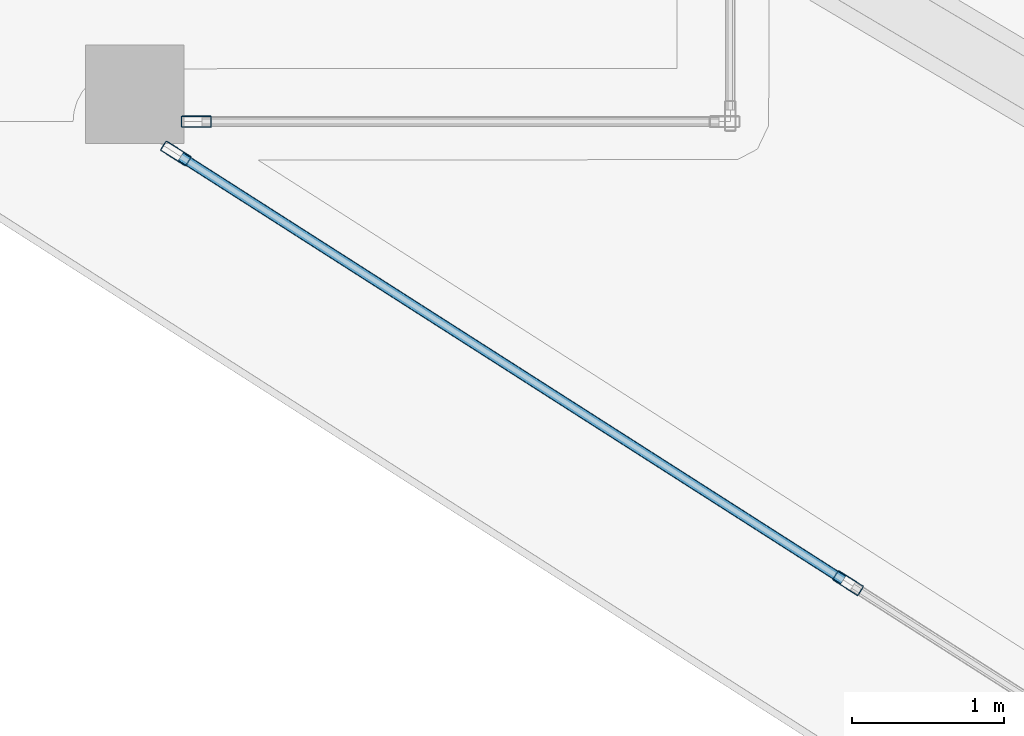
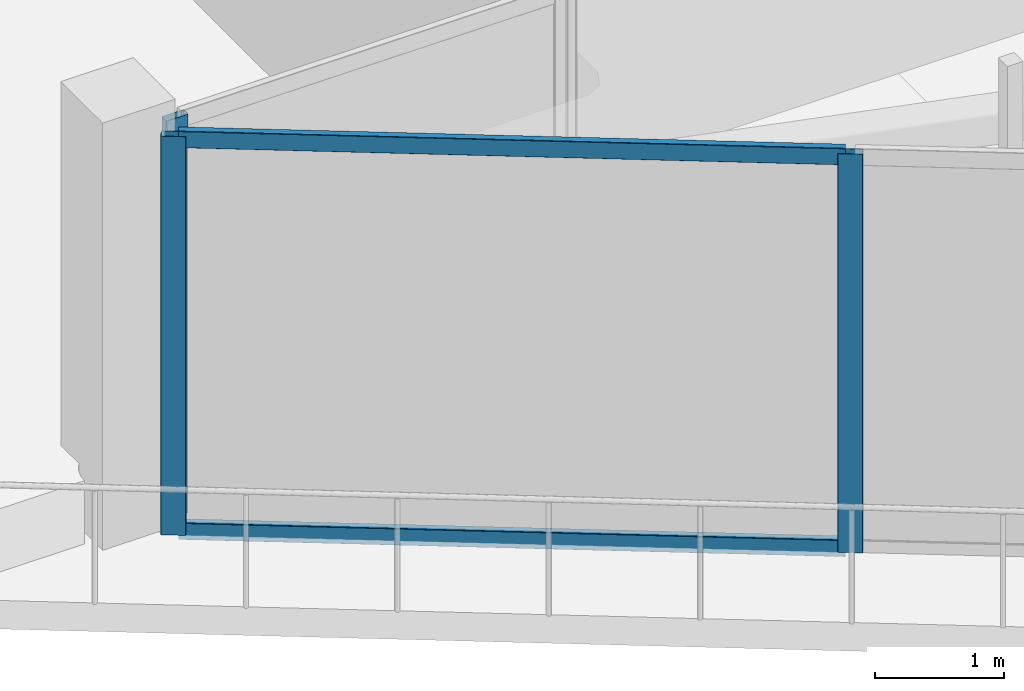
# One storey, part 7 of 40: 5 members, 2 elements without a shape of their own.
"""IFC4 building model written with IfcOpenShell, lengths in metres."""

import ifcopenshell
import ifcopenshell.guid

model = None  # the IFC model being written
_history = None  # IfcOwnerHistory: only IFC2X3 demands one
_inside = {}  # id of a spatial element -> (the spatial element, [elements in it])
_under = {}  # id of a project, library or spatial element -> (it, [spatial elements below it])
_declared = {}  # id of a project -> (the project, [libraries it declares])
_typed = {}  # id of a type object -> (the type object, [elements of that type])
_made_of = {}  # id of a material, layer set ... -> (it, [elements and type objects made of it])


def new_model(schema):
    """Start an empty IFC model of exactly this schema.

    Asked for "IFC4X3", IfcOpenShell would pick the latest addendum, in which some entities
    have other attributes; the version numbers below select the first issue.
    IFC2X3 requires an IfcOwnerHistory on every rooted entity: one is made here for all.
    """
    global model, _history
    if schema == "IFC4X3":
        model = ifcopenshell.file(schema_version=(4, 3, 0, 0))
    else:
        model = ifcopenshell.file(schema=schema)
    _inside.clear()
    _under.clear()
    _declared.clear()
    _typed.clear()
    _made_of.clear()
    _history = None
    if model.schema == "IFC2X3":
        org = make("IfcOrganization", Name="unknown")
        user = make(
            "IfcPersonAndOrganization",
            ThePerson=make("IfcPerson", FamilyName="unknown"),
            TheOrganization=org,
        )
        app = make(
            "IfcApplication",
            ApplicationDeveloper=org,
            Version="unknown",
            ApplicationFullName="unknown",
            ApplicationIdentifier="unknown",
        )
        _history = make(
            "IfcOwnerHistory",
            OwningUser=user,
            OwningApplication=app,
            ChangeAction="ADDED",
            CreationDate=0,
        )
    return model


def make(cls, **values):
    """One entity of the class cls with the attributes given. An attribute that is None is left unset."""
    return model.create_entity(
        cls, **{name: value for name, value in values.items() if value is not None}
    )


def rooted(cls, **values):
    """An entity with a GlobalId (a new one), such as an element, a storey or a relation."""
    return make(cls, GlobalId=ifcopenshell.guid.new(), OwnerHistory=_history, **values)


def si_unit(unit_type, name, prefix=None):
    """IfcSIUnit, for example si_unit("LENGTHUNIT", "METRE", prefix="MILLI")."""
    return make("IfcSIUnit", UnitType=unit_type, Prefix=prefix, Name=name)


def assignment(units):
    """IfcUnitAssignment: the units of a project."""
    return None if units is None else make("IfcUnitAssignment", Units=units)


def point(xyz):
    """IfcCartesianPoint."""
    return None if xyz is None else make("IfcCartesianPoint", Coordinates=xyz)


def direction(xyz):
    """IfcDirection."""
    return None if xyz is None else make("IfcDirection", DirectionRatios=xyz)


def frame(location, z_axis=None, x_axis=None):
    """IfcAxis2Placement3D, a coordinate frame: its origin and axes. An axis left out is left unset."""
    return make(
        "IfcAxis2Placement3D",
        Location=point(location),
        Axis=direction(z_axis),
        RefDirection=direction(x_axis),
    )


def frame_2d(location, x_axis=None):
    """IfcAxis2Placement2D, a coordinate frame in the plane: its origin and x axis."""
    return make(
        "IfcAxis2Placement2D", Location=point(location), RefDirection=direction(x_axis)
    )


def origin():
    """The frame at (0, 0, 0) with its axes left unset."""
    return frame((0.0, 0.0, 0.0))


def origin_2d():
    """The frame at (0, 0) in the plane with its x axis left unset."""
    return frame_2d((0.0, 0.0))


def place(relative_to, where):
    """IfcLocalPlacement: puts the frame where relative to a parent placement (None: the world)."""
    return make(
        "IfcLocalPlacement", PlacementRelTo=relative_to, RelativePlacement=where
    )


def context(
    kind, dimensions, precision=None, world=None, true_north=None, identifier=None
):
    """IfcGeometricRepresentationContext, for example the 3D "Model" context."""
    return make(
        "IfcGeometricRepresentationContext",
        ContextIdentifier=identifier,
        ContextType=kind,
        CoordinateSpaceDimension=dimensions,
        Precision=precision,
        WorldCoordinateSystem=world,
        TrueNorth=true_north,
    )


def subcontext(parent, identifier, kind, view, scale=None):
    """IfcGeometricRepresentationSubContext, for example "Body" below "Model"."""
    return make(
        "IfcGeometricRepresentationSubContext",
        ContextIdentifier=identifier,
        ContextType=kind,
        ParentContext=parent,
        TargetScale=scale,
        TargetView=view,
    )


def project(units=None, contexts=None):
    """IfcProject with its units and contexts."""
    return rooted(
        "IfcProject",
        Name="project",
        RepresentationContexts=contexts,
        UnitsInContext=assignment(units),
    )


def spatial(cls, under=None, at=None, **own):
    """A site, building, storey or space (cls), placed at a placement, below another one or the project."""
    s = rooted(cls, ObjectPlacement=at, **own)
    if under is not None:
        _under.setdefault(under.id(), (under, []))[1].append(s)
    return s


def profile(cls, at=None, kind="AREA", **sizes):
    """A parametric profile (cls). Its sizes go by their IFC names, for example OverallWidth=200.0."""
    return make(cls, ProfileType=kind, Position=at, **sizes)


def hollow_rectangle(**sizes):
    """IfcRectangleHollowProfileDef."""
    return profile("IfcRectangleHollowProfileDef", **sizes)


def extrude(swept, where, along, depth):
    """IfcExtrudedAreaSolid: the profile swept, set in the frame where, extruded along a direction by depth."""
    return make(
        "IfcExtrudedAreaSolid",
        SweptArea=swept,
        Position=where,
        ExtrudedDirection=direction(along),
        Depth=depth,
    )


def shape(context_of_items, identifier, shape_type, items):
    """IfcShapeRepresentation: the items that make up one representation, for example the "Body"."""
    return make(
        "IfcShapeRepresentation",
        ContextOfItems=context_of_items,
        RepresentationIdentifier=identifier,
        RepresentationType=shape_type,
        Items=items,
    )


def material(Name=None, Category=None):
    """IfcMaterial."""
    return make("IfcMaterial", Name=Name, Category=Category)


def layer(
    of_material, thickness, ventilated=None, Name=None, Category=None, Priority=None
):
    """IfcMaterialLayer: one layer of a wall or slab, of a material (None: an air gap)."""
    return make(
        "IfcMaterialLayer",
        Material=of_material,
        LayerThickness=thickness,
        IsVentilated=ventilated,
        Name=Name,
        Category=Category,
        Priority=Priority,
    )


def layer_set(layers, Name=None):
    """IfcMaterialLayerSet."""
    return make("IfcMaterialLayerSet", MaterialLayers=layers, LayerSetName=Name)


def material_profile(
    of_material, cross_section, Name=None, Category=None, Priority=None
):
    """IfcMaterialProfile: a cross section and its material."""
    return make(
        "IfcMaterialProfile",
        Name=Name,
        Material=of_material,
        Profile=cross_section,
        Priority=Priority,
        Category=Category,
    )


def profile_set(profiles, Name=None, composite=None):
    """IfcMaterialProfileSet."""
    return make(
        "IfcMaterialProfileSet",
        Name=Name,
        MaterialProfiles=profiles,
        CompositeProfile=composite,
    )


def made_of(thing, what):
    """Note that an element or type object is made of a material, layer set ...; save() writes the relation."""
    if what is not None:
        _made_of.setdefault(what.id(), (what, []))[1].append(thing)
    return thing


def type_object(cls, material=None, **own):
    """A type object (cls), such as IfcWallType, which elements share."""
    return made_of(rooted(cls, **own), material)


def element(
    cls,
    number,
    at=None,
    inside=None,
    cuts=None,
    type_object=None,
    material=None,
    context=None,
    identifier="Body",
    shape_type=None,
    held_by="IfcProductDefinitionShape",
    body=None,
    shapes=None,
    **own,
):
    """One element of the class cls, such as IfcWall. Its Tag is "e" and its number.

    at: its placement. inside: the storey or other place that contains it. cuts: it is an
    opening in that element (IfcRelVoidsElement). A single representation is given by context,
    identifier, shape_type and body (its items); several are given by shapes. held_by: the class
    of the entity that holds the representations. save() writes the other relations.
    """
    e = rooted(cls, Tag="e%d" % number, ObjectPlacement=at, **own)
    if body is not None:
        shapes = [shape(context, identifier, shape_type, body)]
    if shapes is not None:
        e.Representation = make(held_by, Representations=shapes)
    if inside is not None:
        _inside.setdefault(inside.id(), (inside, []))[1].append(e)
    if cuts is not None:
        rooted(
            "IfcRelVoidsElement", RelatingBuildingElement=cuts, RelatedOpeningElement=e
        )
    if type_object is not None:
        _typed.setdefault(type_object.id(), (type_object, []))[1].append(e)
    return made_of(e, material)


def aggregate(whole, parts):
    """IfcRelAggregates: a whole, such as a stair, and the parts it consists of."""
    return rooted("IfcRelAggregates", RelatingObject=whole, RelatedObjects=parts)


def save(model, path):
    """Write the relations noted so far, then the file.

    IfcRelAggregates (storeys below a building ...), IfcRelContainedInSpatialStructure (elements
    in a storey), IfcRelDefinesByType, IfcRelAssociatesMaterial and IfcRelDeclares: one each for
    every whole, place, type object, material and project.
    """
    for whole, parts in _under.values():
        aggregate(whole, parts)
    for where, things in _inside.values():
        rooted(
            "IfcRelContainedInSpatialStructure",
            RelatedElements=things,
            RelatingStructure=where,
        )
    for kind, things in _typed.values():
        rooted("IfcRelDefinesByType", RelatedObjects=things, RelatingType=kind)
    for what, things in _made_of.values():
        rooted("IfcRelAssociatesMaterial", RelatedObjects=things, RelatingMaterial=what)
    for by, libraries in _declared.values():
        rooted("IfcRelDeclares", RelatingContext=by, RelatedDefinitions=libraries)
    model.write(path)


model = new_model("IFC4")

# Units and contexts
model_context = context("Model", 3, precision=1e-05, world=origin(), true_north=direction((0.0, 1.0)))
body_context = subcontext(model_context, "Body", "Model", "MODEL_VIEW")
ifc_project = project(units=[si_unit("LENGTHUNIT", "METRE"), si_unit("AREAUNIT", "SQUARE_METRE"), si_unit("VOLUMEUNIT", "CUBIC_METRE"), si_unit("PLANEANGLEUNIT", "RADIAN"), si_unit("MASSUNIT", "GRAM", prefix="KILO")], contexts=[model_context])

# Site, building, storey
site_placement = place(None, origin())
site = spatial("IfcSite", under=ifc_project, at=site_placement, CompositionType="ELEMENT")
building_placement = place(site_placement, origin())
building = spatial("IfcBuilding", under=site, at=building_placement, Name="Qorvath Tower", CompositionType="ELEMENT")
storey_placement = place(building_placement, frame((0.0, 0.0, 225.300048828125)))
storey = spatial("IfcBuildingStorey", under=building, at=storey_placement, Name="L52", CompositionType="ELEMENT", Elevation=225.300048828125)

# Curtain wall, member
ifc_material_1 = material(Name="Anodised aluminium and triple low-E glass", Category="aluminium")
ifc_layer = layer(ifc_material_1, 0.179931640625)
ifc_layer_set = layer_set([ifc_layer], Name="CW-SYS-5")
curtain_wall_type = type_object("IfcCurtainWallType", Name="CW-SYS-5", PredefinedType="NOTDEFINED", material=ifc_layer_set)
curtain_wall_1_placement = place(storey_placement, origin())
curtain_wall_1 = element("IfcCurtainWall", 1, at=curtain_wall_1_placement, inside=storey, type_object=curtain_wall_type, Name="Curtain Wall CW-5 CW-T-L52-3.1", PredefinedType="NOTDEFINED")
ifc_material_2 = material(Name="Anodised aluminium 6063-T6", Category="aluminium")
ifc_material_profile_1 = material_profile(ifc_material_2, hollow_rectangle(XDim=0.074951171875, YDim=0.199951171875, WallThickness=0.00390625, InnerFilletRadius=0.00390625, OuterFilletRadius=0.008056640625, at=origin_2d()), Name="CWM 200x75")
ifc_profile_set_1 = profile_set([ifc_material_profile_1], Name="Anodised aluminium 6063-T6")
member_type_1 = type_object("IfcMemberType", Name="CWM-200", PredefinedType="MULLION", material=ifc_profile_set_1)
member_1_placement = place(storey_placement, frame((-48.1708984375, -6.6044921875, 0.0), z_axis=(0.0, 0.0, 1.0), x_axis=(0.0, -1.0, 0.0)))
member_1 = element("IfcMember", 2, at=member_1_placement, type_object=member_type_1, Name="CW-5 mullion 2", PredefinedType="MULLION", context=body_context, shape_type="SweptSolid", body=[
    extrude(hollow_rectangle(XDim=0.074951171875, YDim=0.199951171875, WallThickness=0.00390625, InnerFilletRadius=0.00390625, OuterFilletRadius=0.008056640625, at=origin_2d()), origin(), (0.0, 0.0, 1.0), 3.780029296875),
])
aggregate(curtain_wall_1, [member_1])

# Curtain wall, members
curtain_wall_2_placement = place(storey_placement, origin())
curtain_wall_2 = element("IfcCurtainWall", 3, at=curtain_wall_2_placement, inside=storey, type_object=curtain_wall_type, Name="Curtain Wall CW-5 CW-T-L52-4.1", PredefinedType="NOTDEFINED")
member_2_placement = place(storey_placement, frame((-48.305419921875, -6.81494140625, 0.0), z_axis=(0.0, 0.0, 1.0), x_axis=(0.538529366974, 0.84260674155, 0.0)))
member_2 = element("IfcMember", 4, at=member_2_placement, type_object=member_type_1, Name="CW-5 mullion 1", PredefinedType="MULLION", context=body_context, shape_type="SweptSolid", body=[
    extrude(hollow_rectangle(XDim=0.074951171875, YDim=0.199951171875, WallThickness=0.00390625, InnerFilletRadius=0.00390625, OuterFilletRadius=0.008056640625, at=origin_2d()), origin(), (0.0, 0.0, 1.0), 3.780029296875),
])
member_3_placement = place(storey_placement, frame((-43.870849609375, -9.64892578125, 0.0), z_axis=(0.0, 0.0, 1.0), x_axis=(0.538529366974, 0.84260674155, 0.0)))
member_3 = element("IfcMember", 5, at=member_3_placement, type_object=member_type_1, Name="CW-5 mullion 2", PredefinedType="MULLION", context=body_context, shape_type="SweptSolid", body=[
    extrude(hollow_rectangle(XDim=0.074951171875, YDim=0.199951171875, WallThickness=0.00390625, InnerFilletRadius=0.00390625, OuterFilletRadius=0.008056640625, at=origin_2d()), origin(), (0.0, 0.0, 1.0), 3.780029296875),
])
ifc_material_3 = material(Name="Anodised aluminium 6063-T6", Category="aluminium")
ifc_material_profile_2 = material_profile(ifc_material_3, hollow_rectangle(XDim=0.06494140625, YDim=0.159912109375, WallThickness=0.00341796875, InnerFilletRadius=0.00341796875, OuterFilletRadius=0.007080078125, at=origin_2d()), Name="CWT 160x65")
ifc_profile_set_2 = profile_set([ifc_material_profile_2], Name="Anodised aluminium 6063-T6")
member_type_2 = type_object("IfcMemberType", Name="CWT-160", PredefinedType="USERDEFINED", material=ifc_profile_set_2)
member_4_placement = place(storey_placement, frame((-48.273681640625, -6.835205078125, 0.032470703125), z_axis=(0.842603721563, -0.53853409215, 0.0), x_axis=(0.53853409215, 0.842603721563, 0.0)))
member_4 = element("IfcMember", 6, at=member_4_placement, type_object=member_type_2, Name="CW-5 transom 1.1", ObjectType="TRANSOM", PredefinedType="USERDEFINED", context=body_context, shape_type="SweptSolid", body=[
    extrude(hollow_rectangle(XDim=0.06494140625, YDim=0.159912109375, WallThickness=0.00341796875, InnerFilletRadius=0.00341796875, OuterFilletRadius=0.007080078125, at=origin_2d()), origin(), (0.0, 0.0, 1.0), 5.1875),
])
member_5_placement = place(storey_placement, frame((-48.273681640625, -6.835205078125, 3.74755859375), z_axis=(0.842603721563, -0.53853409215, 0.0), x_axis=(0.53853409215, 0.842603721563, 0.0)))
member_5 = element("IfcMember", 7, at=member_5_placement, type_object=member_type_2, Name="CW-5 transom 1.2", ObjectType="TRANSOM", PredefinedType="USERDEFINED", context=body_context, shape_type="SweptSolid", body=[
    extrude(hollow_rectangle(XDim=0.06494140625, YDim=0.159912109375, WallThickness=0.00341796875, InnerFilletRadius=0.00341796875, OuterFilletRadius=0.007080078125, at=origin_2d()), origin(), (0.0, 0.0, 1.0), 5.1875),
])
aggregate(curtain_wall_2, [member_2, member_3, member_4, member_5])

save(model, "model.ifc")
